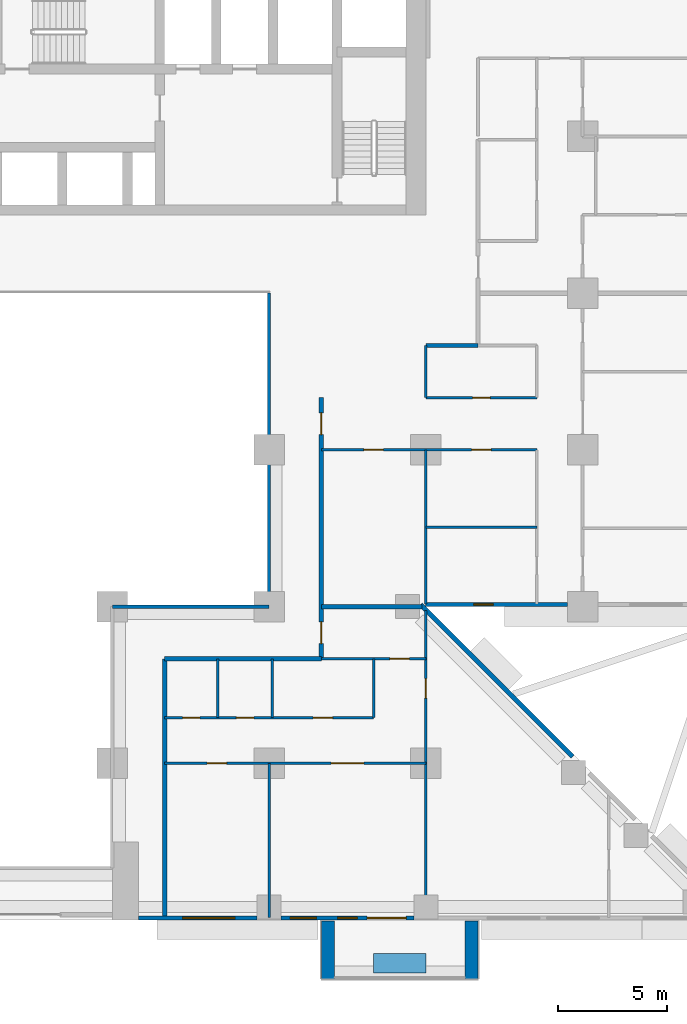
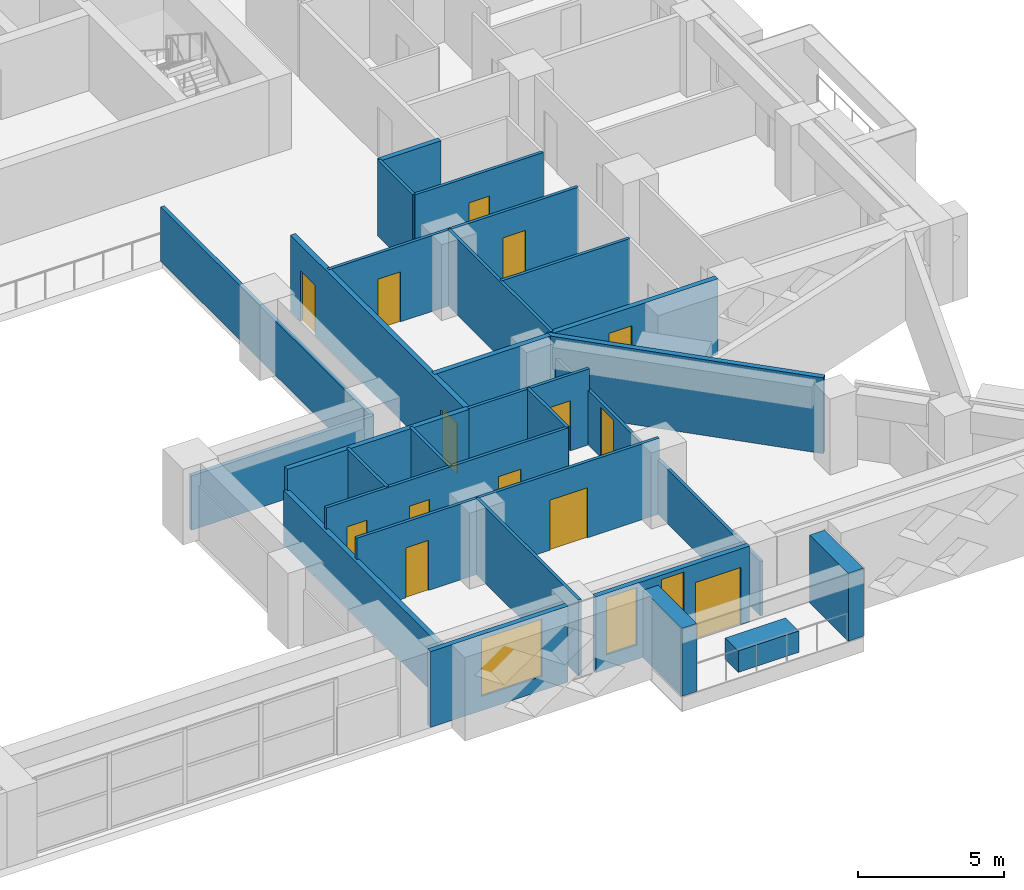
# One storey, part 8 of 16: 27 walls, 13 doors, 4 windows, 17 openings.
"""IFC4 building model written with IfcOpenShell, lengths in metres."""

import ifcopenshell
import ifcopenshell.guid

model = None  # the IFC model being written
_history = None  # IfcOwnerHistory: only IFC2X3 demands one
_inside = {}  # id of a spatial element -> (the spatial element, [elements in it])
_under = {}  # id of a project, library or spatial element -> (it, [spatial elements below it])
_declared = {}  # id of a project -> (the project, [libraries it declares])
_typed = {}  # id of a type object -> (the type object, [elements of that type])
_made_of = {}  # id of a material, layer set ... -> (it, [elements and type objects made of it])


def new_model(schema):
    """Start an empty IFC model of exactly this schema.

    Asked for "IFC4X3", IfcOpenShell would pick the latest addendum, in which some entities
    have other attributes; the version numbers below select the first issue.
    IFC2X3 requires an IfcOwnerHistory on every rooted entity: one is made here for all.
    """
    global model, _history
    if schema == "IFC4X3":
        model = ifcopenshell.file(schema_version=(4, 3, 0, 0))
    else:
        model = ifcopenshell.file(schema=schema)
    _inside.clear()
    _under.clear()
    _declared.clear()
    _typed.clear()
    _made_of.clear()
    _history = None
    if model.schema == "IFC2X3":
        org = make("IfcOrganization", Name="unknown")
        user = make(
            "IfcPersonAndOrganization",
            ThePerson=make("IfcPerson", FamilyName="unknown"),
            TheOrganization=org,
        )
        app = make(
            "IfcApplication",
            ApplicationDeveloper=org,
            Version="unknown",
            ApplicationFullName="unknown",
            ApplicationIdentifier="unknown",
        )
        _history = make(
            "IfcOwnerHistory",
            OwningUser=user,
            OwningApplication=app,
            ChangeAction="ADDED",
            CreationDate=0,
        )
    return model


def make(cls, **values):
    """One entity of the class cls with the attributes given. An attribute that is None is left unset."""
    return model.create_entity(
        cls, **{name: value for name, value in values.items() if value is not None}
    )


def rooted(cls, **values):
    """An entity with a GlobalId (a new one), such as an element, a storey or a relation."""
    return make(cls, GlobalId=ifcopenshell.guid.new(), OwnerHistory=_history, **values)


def si_unit(unit_type, name, prefix=None):
    """IfcSIUnit, for example si_unit("LENGTHUNIT", "METRE", prefix="MILLI")."""
    return make("IfcSIUnit", UnitType=unit_type, Prefix=prefix, Name=name)


def assignment(units):
    """IfcUnitAssignment: the units of a project."""
    return None if units is None else make("IfcUnitAssignment", Units=units)


def point(xyz):
    """IfcCartesianPoint."""
    return None if xyz is None else make("IfcCartesianPoint", Coordinates=xyz)


def direction(xyz):
    """IfcDirection."""
    return None if xyz is None else make("IfcDirection", DirectionRatios=xyz)


def frame(location, z_axis=None, x_axis=None):
    """IfcAxis2Placement3D, a coordinate frame: its origin and axes. An axis left out is left unset."""
    return make(
        "IfcAxis2Placement3D",
        Location=point(location),
        Axis=direction(z_axis),
        RefDirection=direction(x_axis),
    )


def frame_2d(location, x_axis=None):
    """IfcAxis2Placement2D, a coordinate frame in the plane: its origin and x axis."""
    return make(
        "IfcAxis2Placement2D", Location=point(location), RefDirection=direction(x_axis)
    )


def origin():
    """The frame at (0, 0, 0) with its axes left unset."""
    return frame((0.0, 0.0, 0.0))


def place(relative_to, where):
    """IfcLocalPlacement: puts the frame where relative to a parent placement (None: the world)."""
    return make(
        "IfcLocalPlacement", PlacementRelTo=relative_to, RelativePlacement=where
    )


def context(
    kind, dimensions, precision=None, world=None, true_north=None, identifier=None
):
    """IfcGeometricRepresentationContext, for example the 3D "Model" context."""
    return make(
        "IfcGeometricRepresentationContext",
        ContextIdentifier=identifier,
        ContextType=kind,
        CoordinateSpaceDimension=dimensions,
        Precision=precision,
        WorldCoordinateSystem=world,
        TrueNorth=true_north,
    )


def subcontext(parent, identifier, kind, view, scale=None):
    """IfcGeometricRepresentationSubContext, for example "Body" below "Model"."""
    return make(
        "IfcGeometricRepresentationSubContext",
        ContextIdentifier=identifier,
        ContextType=kind,
        ParentContext=parent,
        TargetScale=scale,
        TargetView=view,
    )


def project(units=None, contexts=None):
    """IfcProject with its units and contexts."""
    return rooted(
        "IfcProject",
        Name="project",
        RepresentationContexts=contexts,
        UnitsInContext=assignment(units),
    )


def spatial(cls, under=None, at=None, **own):
    """A site, building, storey or space (cls), placed at a placement, below another one or the project."""
    s = rooted(cls, ObjectPlacement=at, **own)
    if under is not None:
        _under.setdefault(under.id(), (under, []))[1].append(s)
    return s


def profile(cls, at=None, kind="AREA", **sizes):
    """A parametric profile (cls). Its sizes go by their IFC names, for example OverallWidth=200.0."""
    return make(cls, ProfileType=kind, Position=at, **sizes)


def rectangle(**sizes):
    """IfcRectangleProfileDef."""
    return profile("IfcRectangleProfileDef", **sizes)


def extrude(swept, where, along, depth):
    """IfcExtrudedAreaSolid: the profile swept, set in the frame where, extruded along a direction by depth."""
    return make(
        "IfcExtrudedAreaSolid",
        SweptArea=swept,
        Position=where,
        ExtrudedDirection=direction(along),
        Depth=depth,
    )


def shape(context_of_items, identifier, shape_type, items):
    """IfcShapeRepresentation: the items that make up one representation, for example the "Body"."""
    return make(
        "IfcShapeRepresentation",
        ContextOfItems=context_of_items,
        RepresentationIdentifier=identifier,
        RepresentationType=shape_type,
        Items=items,
    )


def material(Name=None, Category=None):
    """IfcMaterial."""
    return make("IfcMaterial", Name=Name, Category=Category)


def layer(
    of_material, thickness, ventilated=None, Name=None, Category=None, Priority=None
):
    """IfcMaterialLayer: one layer of a wall or slab, of a material (None: an air gap)."""
    return make(
        "IfcMaterialLayer",
        Material=of_material,
        LayerThickness=thickness,
        IsVentilated=ventilated,
        Name=Name,
        Category=Category,
        Priority=Priority,
    )


def layer_set(layers, Name=None):
    """IfcMaterialLayerSet."""
    return make("IfcMaterialLayerSet", MaterialLayers=layers, LayerSetName=Name)


def made_of(thing, what):
    """Note that an element or type object is made of a material, layer set ...; save() writes the relation."""
    if what is not None:
        _made_of.setdefault(what.id(), (what, []))[1].append(thing)
    return thing


def type_object(cls, material=None, **own):
    """A type object (cls), such as IfcWallType, which elements share."""
    return made_of(rooted(cls, **own), material)


def element(
    cls,
    number,
    at=None,
    inside=None,
    cuts=None,
    type_object=None,
    material=None,
    context=None,
    identifier="Body",
    shape_type=None,
    held_by="IfcProductDefinitionShape",
    body=None,
    shapes=None,
    **own,
):
    """One element of the class cls, such as IfcWall. Its Tag is "e" and its number.

    at: its placement. inside: the storey or other place that contains it. cuts: it is an
    opening in that element (IfcRelVoidsElement). A single representation is given by context,
    identifier, shape_type and body (its items); several are given by shapes. held_by: the class
    of the entity that holds the representations. save() writes the other relations.
    """
    e = rooted(cls, Tag="e%d" % number, ObjectPlacement=at, **own)
    if body is not None:
        shapes = [shape(context, identifier, shape_type, body)]
    if shapes is not None:
        e.Representation = make(held_by, Representations=shapes)
    if inside is not None:
        _inside.setdefault(inside.id(), (inside, []))[1].append(e)
    if cuts is not None:
        rooted(
            "IfcRelVoidsElement", RelatingBuildingElement=cuts, RelatedOpeningElement=e
        )
    if type_object is not None:
        _typed.setdefault(type_object.id(), (type_object, []))[1].append(e)
    return made_of(e, material)


def fill(opening, filler):
    """IfcRelFillsElement: the door or window that sits in an opening."""
    return rooted(
        "IfcRelFillsElement",
        RelatingOpeningElement=opening,
        RelatedBuildingElement=filler,
    )


def aggregate(whole, parts):
    """IfcRelAggregates: a whole, such as a stair, and the parts it consists of."""
    return rooted("IfcRelAggregates", RelatingObject=whole, RelatedObjects=parts)


def save(model, path):
    """Write the relations noted so far, then the file.

    IfcRelAggregates (storeys below a building ...), IfcRelContainedInSpatialStructure (elements
    in a storey), IfcRelDefinesByType, IfcRelAssociatesMaterial and IfcRelDeclares: one each for
    every whole, place, type object, material and project.
    """
    for whole, parts in _under.values():
        aggregate(whole, parts)
    for where, things in _inside.values():
        rooted(
            "IfcRelContainedInSpatialStructure",
            RelatedElements=things,
            RelatingStructure=where,
        )
    for kind, things in _typed.values():
        rooted("IfcRelDefinesByType", RelatedObjects=things, RelatingType=kind)
    for what, things in _made_of.values():
        rooted("IfcRelAssociatesMaterial", RelatedObjects=things, RelatingMaterial=what)
    for by, libraries in _declared.values():
        rooted("IfcRelDeclares", RelatingContext=by, RelatedDefinitions=libraries)
    model.write(path)


model = new_model("IFC4")

# Units and contexts
model_context = context("Model", 3, precision=1e-05, world=origin(), true_north=direction((0.0, 1.0)))
body_context = subcontext(model_context, "Body", "Model", "MODEL_VIEW")
ifc_project = project(units=[si_unit("LENGTHUNIT", "METRE"), si_unit("AREAUNIT", "SQUARE_METRE"), si_unit("VOLUMEUNIT", "CUBIC_METRE"), si_unit("PLANEANGLEUNIT", "RADIAN"), si_unit("MASSUNIT", "GRAM", prefix="KILO")], contexts=[model_context])

# Site, building, storey
site_placement = place(None, origin())
site = spatial("IfcSite", under=ifc_project, at=site_placement, CompositionType="ELEMENT")
building_placement = place(site_placement, origin())
building = spatial("IfcBuilding", under=site, at=building_placement, Name="Saffron Iwan Residences", CompositionType="ELEMENT")
storey_placement = place(building_placement, frame((0.0, 0.0, 48.0)))
storey = spatial("IfcBuildingStorey", under=building, at=storey_placement, Name="L11", CompositionType="ELEMENT", Elevation=48.0)

# Walls
ifc_material_1 = material(Name="Fire-rated glazing", Category="glass")
ifc_layer_1 = layer(ifc_material_1, 0.14990234375)
ifc_layer_set_1 = layer_set([ifc_layer_1], Name="Fire-rated glazing")
wall_type_1 = type_object("IfcWallType", Name="Atrium glazed screen 150", PredefinedType="SOLIDWALL", material=ifc_layer_set_1)
wall_1_placement = place(storey_placement, frame((57.60009765625, 48.0, 0.0), z_axis=(0.0, 0.0, 1.0), x_axis=(1.0, 0.0, 0.0)))
element("IfcWall", 1, at=wall_1_placement, inside=storey, type_object=wall_type_1, Name="W-L11-SCREEN-h48-57.6", PredefinedType="SOLIDWALL", context=body_context, shape_type="SweptSolid", body=[
    extrude(rectangle(XDim=7.199951171875, YDim=0.14990234375, at=frame_2d((3.60009765625, 0.0))), origin(), (0.0, 0.0, 1.0), 2.280029296875),
])
wall_2_placement = place(storey_placement, frame((64.800048828125, 48.0, 0.0), z_axis=(0.0, 0.0, 1.0), x_axis=(0.0, 1.0, 0.0)))
element("IfcWall", 2, at=wall_2_placement, inside=storey, type_object=wall_type_1, Name="W-L11-SCREEN-v64.8-48", PredefinedType="SOLIDWALL", context=body_context, shape_type="SweptSolid", body=[
    extrude(rectangle(XDim=14.39990234375, YDim=0.14990234375, at=frame_2d((7.199951171875, 0.0))), origin(), (0.0, 0.0, 1.0), 2.280029296875),
])
ifc_material_2 = material(Name="Concrete C50/60 white painted", Category="concrete")
ifc_layer_2 = layer(ifc_material_2, 0.60009765625)
ifc_layer_set_2 = layer_set([ifc_layer_2], Name="Concrete C50/60 white painted")
wall_type_2 = type_object("IfcWallType", Name="BALCONY FIN 600", PredefinedType="SOLIDWALL", material=ifc_layer_set_2)
for number, where, z_axis, x_axis, name in (
    (3, (67.5, 33.550048828125, 0.0), (0.0, 0.0, 1.0), (0.0, -1.0, 0.0), "Balcony fin L11 11-1a"),
    (4, (74.10009765625, 33.550048828125, 0.0), (0.0, 0.0, 1.0), (0.0, -1.0, 0.0), "Balcony fin L11 11-1b"),
):
    element("IfcWall", number, at=place(storey_placement, frame(where, z_axis=z_axis, x_axis=x_axis)), inside=storey, type_object=wall_type_2, Name=name, PredefinedType="SOLIDWALL", context=body_context, shape_type="SweptSolid", body=[
        extrude(rectangle(XDim=2.650146484375, YDim=0.60009765625, at=frame_2d((1.3251953125, 0.0))), origin(), (0.0, 0.0, 1.0), 2.85009765625),
    ])
ifc_material_3 = material(Name="Concrete C35/45 white painted", Category="concrete")
ifc_layer_3 = layer(ifc_material_3, 0.14990234375)
ifc_layer_set_3 = layer_set([ifc_layer_3], Name="Concrete C35/45 white painted")
wall_type_3 = type_object("IfcWallType", Name="BALCONY PLANTER", PredefinedType="SOLIDWALL", material=ifc_layer_set_3)
wall_3_placement = place(storey_placement, frame((69.60009765625, 31.625, 0.0), z_axis=(0.0, 0.0, 1.0), x_axis=(1.0, 0.0, 0.0)))
element("IfcWall", 5, at=wall_3_placement, inside=storey, type_object=wall_type_3, Name="PLANTER L11 11-1", PredefinedType="SOLIDWALL", context=body_context, shape_type="SweptSolid", body=[
    extrude(rectangle(XDim=2.39990234375, YDim=0.89990234375, at=frame_2d((1.199951171875, 0.0))), origin(), (0.0, 0.0, 1.0), 0.89990234375),
])
ifc_material_4 = material(Name="Concrete C40/50", Category="concrete")
ifc_layer_4 = layer(ifc_material_4, 0.199951171875)
ifc_layer_set_4 = layer_set([ifc_layer_4], Name="Concrete C40/50")
wall_type_4 = type_object("IfcWallType", Name="EXTERNAL WALL 200", PredefinedType="SOLIDWALL", material=ifc_layer_set_4)
wall_4_placement = place(storey_placement, frame((78.740478515625, 41.1181640625, 0.0), z_axis=(0.0, 0.0, 1.0), x_axis=(-0.707106781187, 0.707106781187, 0.0)))
element("IfcWall", 6, at=wall_4_placement, inside=storey, type_object=wall_type_4, Name="External wall L11 F0.2", PredefinedType="SOLIDWALL", context=body_context, shape_type="SweptSolid", body=[
    extrude(rectangle(XDim=9.8740234375, YDim=0.199951171875, at=frame_2d((4.93701171875, 0.0))), origin(), (0.0, 0.0, 1.0), 3.179931640625),
])

# Wall, opening, window
wall_5_placement = place(storey_placement, frame((71.988525390625, 48.10009765625, 0.0), z_axis=(0.0, 0.0, 1.0), x_axis=(1.0, 0.0, 0.0)))
wall_5 = element("IfcWall", 7, at=wall_5_placement, inside=storey, type_object=wall_type_4, Name="External wall L11 F1.0", PredefinedType="SOLIDWALL", context=body_context, shape_type="SweptSolid", body=[
    extrude(rectangle(XDim=6.511474609375, YDim=0.199951171875, at=frame_2d((3.255859375, 0.0))), origin(), (0.0, 0.0, 1.0), 3.179931640625),
])
opening_1_placement = place(wall_5_placement, frame((2.205810546875, 0.0, 1.5)))
opening_1 = element("IfcOpeningElement", 8, at=opening_1_placement, cuts=wall_5, Name="Opening W6", PredefinedType="OPENING", context=body_context, shape_type="SweptSolid", body=[
    extrude(rectangle(XDim=0.89990234375, YDim=0.89990234375, at=frame_2d((0.449951171875, 0.449951171875))), frame((0.0, 0.10986328125, 0.0), z_axis=(0.0, -1.0, 0.0), x_axis=(1.0, 0.0, 0.0)), (0.0, 0.0, 1.0), 0.219970703125),
])
ifc_material_5 = material(Name="Clear glass, laminated double glazed", Category="glass")
window_type_1 = type_object("IfcWindowType", Name="WINDOW 900 x 900 BATH", PartitioningType="SINGLE_PANEL", PredefinedType="WINDOW", material=ifc_material_5)
window_1_placement = place(opening_1_placement, origin())
window_1 = element("IfcWindow", 9, at=window_1_placement, inside=storey, type_object=window_type_1, Name="Window L11 F1.0", OverallHeight=0.89990234375, OverallWidth=0.89990234375, PartitioningType="SINGLE_PANEL", PredefinedType="WINDOW", context=body_context, shape_type="SweptSolid", body=[
    extrude(rectangle(XDim=0.89990234375, YDim=0.89990234375, at=frame_2d((0.449951171875, 0.449951171875))), frame((0.0, 0.030029296875, 0.0), z_axis=(0.0, -1.0, 0.0), x_axis=(1.0, 0.0, 0.0)), (0.0, 0.0, 1.0), 0.06005859375),
])
fill(opening_1, window_1)

wall_6_placement = place(storey_placement, frame((58.800048828125, 33.699951171875, 0.0), z_axis=(0.0, 0.0, 1.0), x_axis=(1.0, 0.0, 0.0)))
wall_6 = element("IfcWall", 10, at=wall_6_placement, inside=storey, type_object=wall_type_4, Name="External wall L11 F11.4", PredefinedType="SOLIDWALL", context=body_context, shape_type="SweptSolid", body=[
    extrude(rectangle(XDim=5.449951171875, YDim=0.199951171875, at=frame_2d((2.72509765625, 0.0))), origin(), (0.0, 0.0, 1.0), 3.179931640625),
])
opening_2_placement = place(wall_6_placement, frame((2.02490234375, 0.0, 0.60009765625)))
opening_2 = element("IfcOpeningElement", 11, at=opening_2_placement, cuts=wall_6, Name="Opening W1", PredefinedType="OPENING", context=body_context, shape_type="SweptSolid", body=[
    extrude(rectangle(XDim=2.39990234375, YDim=2.39990234375, at=frame_2d((1.199951171875, 1.199951171875))), frame((0.0, 0.10986328125, 0.0), z_axis=(0.0, -1.0, 0.0), x_axis=(1.0, 0.0, 0.0)), (0.0, 0.0, 1.0), 0.219970703125),
])
window_type_2 = type_object("IfcWindowType", Name="WINDOW 2400 x 2400", PartitioningType="DOUBLE_PANEL_VERTICAL", PredefinedType="WINDOW", material=ifc_material_5)
window_2_placement = place(opening_2_placement, origin())
window_2 = element("IfcWindow", 12, at=window_2_placement, inside=storey, type_object=window_type_2, Name="Window L11 F11.0", OverallHeight=2.39990234375, OverallWidth=2.39990234375, PartitioningType="DOUBLE_PANEL_VERTICAL", PredefinedType="WINDOW", context=body_context, shape_type="SweptSolid", body=[
    extrude(rectangle(XDim=2.39990234375, YDim=2.39990234375, at=frame_2d((1.199951171875, 1.199951171875))), frame((0.0, 0.030029296875, 0.0), z_axis=(0.0, -1.0, 0.0), x_axis=(1.0, 0.0, 0.0)), (0.0, 0.0, 1.0), 0.06005859375),
])
fill(opening_2, window_2)

# Wall, openings, door, windows
wall_7_placement = place(storey_placement, frame((65.35009765625, 33.699951171875, 0.0), z_axis=(0.0, 0.0, 1.0), x_axis=(1.0, 0.0, 0.0)))
wall_7 = element("IfcWall", 13, at=wall_7_placement, inside=storey, type_object=wall_type_4, Name="External wall L11 F11.5", PredefinedType="SOLIDWALL", context=body_context, shape_type="SweptSolid", body=[
    extrude(rectangle(XDim=6.099853515625, YDim=0.199951171875, at=frame_2d((3.0498046875, 0.0))), origin(), (0.0, 0.0, 1.0), 3.179931640625),
])
opening_3_placement = place(wall_7_placement, frame((3.949951171875, 0.0, 0.0)))
opening_3 = element("IfcOpeningElement", 14, at=opening_3_placement, cuts=wall_7, Name="Opening BD1", PredefinedType="OPENING", context=body_context, shape_type="SweptSolid", body=[
    extrude(rectangle(XDim=1.800048828125, YDim=2.39990234375, at=frame_2d((0.89990234375, 1.199951171875))), frame((0.0, 0.10986328125, 0.0), z_axis=(0.0, -1.0, 0.0), x_axis=(1.0, 0.0, 0.0)), (0.0, 0.0, 1.0), 0.219970703125),
])
opening_4_placement = place(wall_7_placement, frame((0.425048828125, 0.0, 0.60009765625)))
opening_4 = element("IfcOpeningElement", 15, at=opening_4_placement, cuts=wall_7, Name="Opening W3", PredefinedType="OPENING", context=body_context, shape_type="SweptSolid", body=[
    extrude(rectangle(XDim=1.199951171875, YDim=2.39990234375, at=frame_2d((0.60009765625, 1.199951171875))), frame((0.0, 0.10986328125, 0.0), z_axis=(0.0, -1.0, 0.0), x_axis=(1.0, 0.0, 0.0)), (0.0, 0.0, 1.0), 0.219970703125),
])
opening_5_placement = place(wall_7_placement, frame((2.60009765625, 0.0, 0.60009765625)))
opening_5 = element("IfcOpeningElement", 16, at=opening_5_placement, cuts=wall_7, Name="Opening W10", PredefinedType="OPENING", context=body_context, shape_type="SweptSolid", body=[
    extrude(rectangle(XDim=0.89990234375, YDim=2.39990234375, at=frame_2d((0.449951171875, 1.199951171875))), frame((0.0, 0.10986328125, 0.0), z_axis=(0.0, -1.0, 0.0), x_axis=(1.0, 0.0, 0.0)), (0.0, 0.0, 1.0), 0.219970703125),
])
door_type_1 = type_object("IfcDoorType", Name="BALCONY DOOR 1800 x 2400", OperationType="DOUBLE_DOOR_SLIDING", PredefinedType="DOOR", material=ifc_material_5)
door_1_placement = place(opening_3_placement, origin())
door_1 = element("IfcDoor", 17, at=door_1_placement, inside=storey, type_object=door_type_1, Name="Balcony door L11 F11.0", OperationType="DOUBLE_DOOR_SLIDING", OverallHeight=2.39990234375, OverallWidth=1.800048828125, PredefinedType="DOOR", context=body_context, shape_type="SweptSolid", body=[
    extrude(rectangle(XDim=1.800048828125, YDim=2.39990234375, at=frame_2d((0.89990234375, 1.199951171875))), frame((0.0, 0.02490234375, 0.0), z_axis=(0.0, -1.0, 0.0), x_axis=(1.0, 0.0, 0.0)), (0.0, 0.0, 1.0), 0.050048828125),
])
fill(opening_3, door_1)
window_type_3 = type_object("IfcWindowType", Name="WINDOW 1200 x 2400", PartitioningType="SINGLE_PANEL", PredefinedType="WINDOW", material=ifc_material_5)
window_3_placement = place(opening_4_placement, origin())
window_3 = element("IfcWindow", 18, at=window_3_placement, inside=storey, type_object=window_type_3, Name="Window L11 F11.1", OverallHeight=2.39990234375, OverallWidth=1.199951171875, PartitioningType="SINGLE_PANEL", PredefinedType="WINDOW", context=body_context, shape_type="SweptSolid", body=[
    extrude(rectangle(XDim=1.199951171875, YDim=2.39990234375, at=frame_2d((0.60009765625, 1.199951171875))), frame((0.0, 0.030029296875, 0.0), z_axis=(0.0, -1.0, 0.0), x_axis=(1.0, 0.0, 0.0)), (0.0, 0.0, 1.0), 0.06005859375),
])
fill(opening_4, window_3)
window_type_4 = type_object("IfcWindowType", Name="WINDOW 900 x 2400", PartitioningType="SINGLE_PANEL", PredefinedType="WINDOW", material=ifc_material_5)
window_4_placement = place(opening_5_placement, origin())
window_4 = element("IfcWindow", 19, at=window_4_placement, inside=storey, type_object=window_type_4, Name="Window L11 F11.2", OverallHeight=2.39990234375, OverallWidth=0.89990234375, PartitioningType="SINGLE_PANEL", PredefinedType="WINDOW", context=body_context, shape_type="SweptSolid", body=[
    extrude(rectangle(XDim=0.89990234375, YDim=2.39990234375, at=frame_2d((0.449951171875, 1.199951171875))), frame((0.0, 0.030029296875, 0.0), z_axis=(0.0, -1.0, 0.0), x_axis=(1.0, 0.0, 0.0)), (0.0, 0.0, 1.0), 0.06005859375),
])
fill(opening_5, window_4)

# Wall
ifc_material_6 = material(Name="Fire-rated gypsum board wall")
ifc_layer_5 = layer(ifc_material_6, 0.199951171875)
ifc_layer_set_5 = layer_set([ifc_layer_5], Name="Fire-rated gypsum board wall")
wall_type_5 = type_object("IfcWallType", Name="Flat demising wall 200", PredefinedType="SOLIDWALL", material=ifc_layer_set_5)
wall_8_placement = place(storey_placement, frame((67.199951171875, 48.0, 0.0), z_axis=(0.0, 0.0, 1.0), x_axis=(1.0, 0.0, 0.0)))
element("IfcWall", 20, at=wall_8_placement, inside=storey, type_object=wall_type_5, Name="W-L11-DEMISE-h48-67.2", PredefinedType="SOLIDWALL", context=body_context, shape_type="SweptSolid", body=[
    extrude(rectangle(XDim=4.623046875, YDim=0.199951171875, at=frame_2d((2.3115234375, 0.0))), origin(), (0.0, 0.0, 1.0), 3.179931640625),
])

# Wall, openings, doors
ifc_material_7 = material(Name="Gypsum board partition")
ifc_layer_6 = layer(ifc_material_7, 0.1201171875)
ifc_layer_set_6 = layer_set([ifc_layer_6], Name="Gypsum board partition")
wall_type_6 = type_object("IfcWallType", Name="Flat partition 120", PredefinedType="PARTITIONING", material=ifc_layer_set_6)
wall_9_placement = place(storey_placement, frame((60.0, 40.800048828125, 0.0), z_axis=(0.0, 0.0, 1.0), x_axis=(1.0, 0.0, 0.0)))
wall_9 = element("IfcWall", 21, at=wall_9_placement, inside=storey, type_object=wall_type_6, Name="W-L11-PART-h40.8-60", PredefinedType="PARTITIONING", context=body_context, shape_type="SweptSolid", body=[
    extrude(rectangle(XDim=12.0, YDim=0.1201171875, at=frame_2d((6.0, 0.0))), origin(), (0.0, 0.0, 1.0), 3.179931640625),
])
opening_6_placement = place(wall_9_placement, frame((7.64990234375, 0.0, 0.0)))
opening_6 = element("IfcOpeningElement", 22, at=opening_6_placement, cuts=wall_9, Name="Opening FD4", PredefinedType="OPENING", context=body_context, shape_type="SweptSolid", body=[
    extrude(rectangle(XDim=1.5, YDim=2.10009765625, at=frame_2d((0.75, 1.050048828125))), frame((0.0, 0.070068359375, 0.0), z_axis=(0.0, -1.0, 0.0), x_axis=(1.0, 0.0, 0.0)), (0.0, 0.0, 1.0), 0.14013671875),
])
opening_7_placement = place(wall_9_placement, frame((1.949951171875, 0.0, 0.0)))
opening_7 = element("IfcOpeningElement", 23, at=opening_7_placement, cuts=wall_9, Name="Opening FD2", PredefinedType="OPENING", context=body_context, shape_type="SweptSolid", body=[
    extrude(rectangle(XDim=0.89990234375, YDim=2.10009765625, at=frame_2d((0.449951171875, 1.050048828125))), frame((0.0, 0.070068359375, 0.0), z_axis=(0.0, -1.0, 0.0), x_axis=(1.0, 0.0, 0.0)), (0.0, 0.0, 1.0), 0.14013671875),
])
ifc_material_8 = material(Name="Timber door", Category="wood")
door_type_2 = type_object("IfcDoorType", Name="Double door 1500", OperationType="NOTDEFINED", PredefinedType="DOOR", material=ifc_material_8)
door_2_placement = place(opening_6_placement, origin())
door_2 = element("IfcDoor", 24, at=door_2_placement, inside=storey, type_object=door_type_2, Name="Door L11-044", OperationType="SINGLE_SWING_RIGHT", OverallHeight=2.10009765625, OverallWidth=1.5, PredefinedType="DOOR", context=body_context, shape_type="SweptSolid", body=[
    extrude(rectangle(XDim=1.5, YDim=2.10009765625, at=frame_2d((0.75, 1.050048828125))), frame((0.0, 0.02490234375, 0.0), z_axis=(0.0, -1.0, 0.0), x_axis=(1.0, 0.0, 0.0)), (0.0, 0.0, 1.0), 0.050048828125),
])
fill(opening_6, door_2)
door_type_3 = type_object("IfcDoorType", Name="Flat door 900", OperationType="NOTDEFINED", PredefinedType="DOOR", material=ifc_material_8)
door_3_placement = place(opening_7_placement, origin())
door_3 = element("IfcDoor", 25, at=door_3_placement, inside=storey, type_object=door_type_3, Name="Door L11-045", OperationType="SINGLE_SWING_LEFT", OverallHeight=2.10009765625, OverallWidth=0.89990234375, PredefinedType="DOOR", context=body_context, shape_type="SweptSolid", body=[
    extrude(rectangle(XDim=0.89990234375, YDim=2.10009765625, at=frame_2d((0.449951171875, 1.050048828125))), frame((0.0, 0.02490234375, 0.0), z_axis=(0.0, -1.0, 0.0), x_axis=(1.0, 0.0, 0.0)), (0.0, 0.0, 1.0), 0.050048828125),
])
fill(opening_7, door_3)

wall_10_placement = place(storey_placement, frame((60.0, 42.89990234375, 0.0), z_axis=(0.0, 0.0, 1.0), x_axis=(1.0, 0.0, 0.0)))
wall_10 = element("IfcWall", 26, at=wall_10_placement, inside=storey, type_object=wall_type_6, Name="W-L11-PART-h42.9-60", PredefinedType="PARTITIONING", context=body_context, shape_type="SweptSolid", body=[
    extrude(rectangle(XDim=9.60009765625, YDim=0.1201171875, at=frame_2d((4.800048828125, 0.0))), origin(), (0.0, 0.0, 1.0), 3.179931640625),
])
opening_8_placement = place(wall_10_placement, frame((6.824951171875, 0.0, 0.0)))
opening_8 = element("IfcOpeningElement", 27, at=opening_8_placement, cuts=wall_10, Name="Opening FD2", PredefinedType="OPENING", context=body_context, shape_type="SweptSolid", body=[
    extrude(rectangle(XDim=0.89990234375, YDim=2.10009765625, at=frame_2d((0.449951171875, 1.050048828125))), frame((0.0, 0.070068359375, 0.0), z_axis=(0.0, -1.0, 0.0), x_axis=(1.0, 0.0, 0.0)), (0.0, 0.0, 1.0), 0.14013671875),
])
opening_9_placement = place(wall_10_placement, frame((3.300048828125, 0.0, 0.0)))
opening_9 = element("IfcOpeningElement", 28, at=opening_9_placement, cuts=wall_10, Name="Opening FD3", PredefinedType="OPENING", context=body_context, shape_type="SweptSolid", body=[
    extrude(rectangle(XDim=0.800048828125, YDim=2.10009765625, at=frame_2d((0.39990234375, 1.050048828125))), frame((0.0, 0.070068359375, 0.0), z_axis=(0.0, -1.0, 0.0), x_axis=(1.0, 0.0, 0.0)), (0.0, 0.0, 1.0), 0.14013671875),
])
opening_10_placement = place(wall_10_placement, frame((0.824951171875, 0.0, 0.0)))
opening_10 = element("IfcOpeningElement", 29, at=opening_10_placement, cuts=wall_10, Name="Opening FD3", PredefinedType="OPENING", context=body_context, shape_type="SweptSolid", body=[
    extrude(rectangle(XDim=0.800048828125, YDim=2.10009765625, at=frame_2d((0.39990234375, 1.050048828125))), frame((0.0, 0.070068359375, 0.0), z_axis=(0.0, -1.0, 0.0), x_axis=(1.0, 0.0, 0.0)), (0.0, 0.0, 1.0), 0.14013671875),
])
door_type_4 = type_object("IfcDoorType", Name="Bathroom door 800", OperationType="NOTDEFINED", PredefinedType="DOOR", material=ifc_material_8)
door_4_placement = place(opening_9_placement, origin())
door_4 = element("IfcDoor", 30, at=door_4_placement, inside=storey, type_object=door_type_4, Name="Door L11-047", OperationType="SINGLE_SWING_RIGHT", OverallHeight=2.10009765625, OverallWidth=0.800048828125, PredefinedType="DOOR", context=body_context, shape_type="SweptSolid", body=[
    extrude(rectangle(XDim=0.800048828125, YDim=2.10009765625, at=frame_2d((0.39990234375, 1.050048828125))), frame((0.0, 0.02490234375, 0.0), z_axis=(0.0, -1.0, 0.0), x_axis=(1.0, 0.0, 0.0)), (0.0, 0.0, 1.0), 0.050048828125),
])
fill(opening_9, door_4)
door_5_placement = place(opening_10_placement, origin())
door_5 = element("IfcDoor", 31, at=door_5_placement, inside=storey, type_object=door_type_4, Name="Door L11-048", OperationType="SINGLE_SWING_LEFT", OverallHeight=2.10009765625, OverallWidth=0.800048828125, PredefinedType="DOOR", context=body_context, shape_type="SweptSolid", body=[
    extrude(rectangle(XDim=0.800048828125, YDim=2.10009765625, at=frame_2d((0.39990234375, 1.050048828125))), frame((0.0, 0.02490234375, 0.0), z_axis=(0.0, -1.0, 0.0), x_axis=(1.0, 0.0, 0.0)), (0.0, 0.0, 1.0), 0.050048828125),
])
fill(opening_10, door_5)
door_6_placement = place(opening_8_placement, origin())
door_6 = element("IfcDoor", 32, at=door_6_placement, inside=storey, type_object=door_type_3, Name="Door L11-046", OperationType="SINGLE_SWING_LEFT", OverallHeight=2.10009765625, OverallWidth=0.89990234375, PredefinedType="DOOR", context=body_context, shape_type="SweptSolid", body=[
    extrude(rectangle(XDim=0.89990234375, YDim=2.10009765625, at=frame_2d((0.449951171875, 1.050048828125))), frame((0.0, 0.02490234375, 0.0), z_axis=(0.0, -1.0, 0.0), x_axis=(1.0, 0.0, 0.0)), (0.0, 0.0, 1.0), 0.050048828125),
])
fill(opening_8, door_6)

# Wall, opening, door
wall_11_placement = place(storey_placement, frame((67.199951171875, 45.60009765625, 0.0), z_axis=(0.0, 0.0, 1.0), x_axis=(1.0, 0.0, 0.0)))
wall_11 = element("IfcWall", 33, at=wall_11_placement, inside=storey, type_object=wall_type_6, Name="W-L11-PART-h45.6-67.2", PredefinedType="PARTITIONING", context=body_context, shape_type="SweptSolid", body=[
    extrude(rectangle(XDim=4.800048828125, YDim=0.1201171875, at=frame_2d((2.39990234375, 0.0))), origin(), (0.0, 0.0, 1.0), 3.179931640625),
])
opening_11_placement = place(wall_11_placement, frame((3.14990234375, 0.0, 0.0)))
opening_11 = element("IfcOpeningElement", 34, at=opening_11_placement, cuts=wall_11, Name="Opening FD2", PredefinedType="OPENING", context=body_context, shape_type="SweptSolid", body=[
    extrude(rectangle(XDim=0.89990234375, YDim=2.10009765625, at=frame_2d((0.449951171875, 1.050048828125))), frame((0.0, 0.070068359375, 0.0), z_axis=(0.0, -1.0, 0.0), x_axis=(1.0, 0.0, 0.0)), (0.0, 0.0, 1.0), 0.14013671875),
])
door_7_placement = place(opening_11_placement, origin())
door_7 = element("IfcDoor", 35, at=door_7_placement, inside=storey, type_object=door_type_3, Name="Door L11-042", OperationType="SINGLE_SWING_LEFT", OverallHeight=2.10009765625, OverallWidth=0.89990234375, PredefinedType="DOOR", context=body_context, shape_type="SweptSolid", body=[
    extrude(rectangle(XDim=0.89990234375, YDim=2.10009765625, at=frame_2d((0.449951171875, 1.050048828125))), frame((0.0, 0.02490234375, 0.0), z_axis=(0.0, -1.0, 0.0), x_axis=(1.0, 0.0, 0.0)), (0.0, 0.0, 1.0), 0.050048828125),
])
fill(opening_11, door_7)

# Wall
wall_12_placement = place(storey_placement, frame((72.0, 51.64990234375, 0.0), z_axis=(0.0, 0.0, 1.0), x_axis=(1.0, 0.0, 0.0)))
element("IfcWall", 36, at=wall_12_placement, inside=storey, type_object=wall_type_6, Name="W-L11-PART-h51.65-72", PredefinedType="PARTITIONING", context=body_context, shape_type="SweptSolid", body=[
    extrude(rectangle(XDim=5.10009765625, YDim=0.1201171875, at=frame_2d((2.550048828125, 0.0))), origin(), (0.0, 0.0, 1.0), 3.179931640625),
])

# Wall, openings, doors
wall_13_placement = place(storey_placement, frame((67.199951171875, 55.199951171875, 0.0), z_axis=(0.0, 0.0, 1.0), x_axis=(1.0, 0.0, 0.0)))
wall_13 = element("IfcWall", 37, at=wall_13_placement, inside=storey, type_object=wall_type_6, Name="W-L11-PART-h55.2-67.2", PredefinedType="PARTITIONING", context=body_context, shape_type="SweptSolid", body=[
    extrude(rectangle(XDim=9.900146484375, YDim=0.1201171875, at=frame_2d((4.9501953125, 0.0))), origin(), (0.0, 0.0, 1.0), 3.179931640625),
])
opening_12_placement = place(wall_13_placement, frame((6.89990234375, 0.0, 0.0)))
opening_12 = element("IfcOpeningElement", 38, at=opening_12_placement, cuts=wall_13, Name="Opening FD2", PredefinedType="OPENING", context=body_context, shape_type="SweptSolid", body=[
    extrude(rectangle(XDim=0.89990234375, YDim=2.10009765625, at=frame_2d((0.449951171875, 1.050048828125))), frame((0.0, 0.070068359375, 0.0), z_axis=(0.0, -1.0, 0.0), x_axis=(1.0, 0.0, 0.0)), (0.0, 0.0, 1.0), 0.14013671875),
])
opening_13_placement = place(wall_13_placement, frame((1.949951171875, 0.0, 0.0)))
opening_13 = element("IfcOpeningElement", 39, at=opening_13_placement, cuts=wall_13, Name="Opening FD2", PredefinedType="OPENING", context=body_context, shape_type="SweptSolid", body=[
    extrude(rectangle(XDim=0.89990234375, YDim=2.10009765625, at=frame_2d((0.449951171875, 1.050048828125))), frame((0.0, 0.070068359375, 0.0), z_axis=(0.0, -1.0, 0.0), x_axis=(1.0, 0.0, 0.0)), (0.0, 0.0, 1.0), 0.14013671875),
])
door_8_placement = place(opening_12_placement, origin())
door_8 = element("IfcDoor", 40, at=door_8_placement, inside=storey, type_object=door_type_3, Name="Door L11-024", OperationType="SINGLE_SWING_LEFT", OverallHeight=2.10009765625, OverallWidth=0.89990234375, PredefinedType="DOOR", context=body_context, shape_type="SweptSolid", body=[
    extrude(rectangle(XDim=0.89990234375, YDim=2.10009765625, at=frame_2d((0.449951171875, 1.050048828125))), frame((0.0, 0.02490234375, 0.0), z_axis=(0.0, -1.0, 0.0), x_axis=(1.0, 0.0, 0.0)), (0.0, 0.0, 1.0), 0.050048828125),
])
fill(opening_12, door_8)
door_9_placement = place(opening_13_placement, origin())
door_9 = element("IfcDoor", 41, at=door_9_placement, inside=storey, type_object=door_type_3, Name="Door L11-026", OperationType="SINGLE_SWING_RIGHT", OverallHeight=2.10009765625, OverallWidth=0.89990234375, PredefinedType="DOOR", context=body_context, shape_type="SweptSolid", body=[
    extrude(rectangle(XDim=0.89990234375, YDim=2.10009765625, at=frame_2d((0.449951171875, 1.050048828125))), frame((0.0, 0.02490234375, 0.0), z_axis=(0.0, -1.0, 0.0), x_axis=(1.0, 0.0, 0.0)), (0.0, 0.0, 1.0), 0.050048828125),
])
fill(opening_13, door_9)

# Wall, opening, door
wall_14_placement = place(storey_placement, frame((72.0, 57.60009765625, 0.0), z_axis=(0.0, 0.0, 1.0), x_axis=(1.0, 0.0, 0.0)))
wall_14 = element("IfcWall", 42, at=wall_14_placement, inside=storey, type_object=wall_type_6, Name="W-L11-PART-h57.6-72", PredefinedType="PARTITIONING", context=body_context, shape_type="SweptSolid", body=[
    extrude(rectangle(XDim=5.10009765625, YDim=0.1201171875, at=frame_2d((2.550048828125, 0.0))), origin(), (0.0, 0.0, 1.0), 3.179931640625),
])
opening_14_placement = place(wall_14_placement, frame((2.14990234375, 0.0, 0.0)))
opening_14 = element("IfcOpeningElement", 43, at=opening_14_placement, cuts=wall_14, Name="Opening FD3", PredefinedType="OPENING", context=body_context, shape_type="SweptSolid", body=[
    extrude(rectangle(XDim=0.800048828125, YDim=2.10009765625, at=frame_2d((0.39990234375, 1.050048828125))), frame((0.0, 0.070068359375, 0.0), z_axis=(0.0, -1.0, 0.0), x_axis=(1.0, 0.0, 0.0)), (0.0, 0.0, 1.0), 0.14013671875),
])
door_10_placement = place(opening_14_placement, origin())
door_10 = element("IfcDoor", 44, at=door_10_placement, inside=storey, type_object=door_type_4, Name="Door L11-025", OperationType="SINGLE_SWING_LEFT", OverallHeight=2.10009765625, OverallWidth=0.800048828125, PredefinedType="DOOR", context=body_context, shape_type="SweptSolid", body=[
    extrude(rectangle(XDim=0.800048828125, YDim=2.10009765625, at=frame_2d((0.39990234375, 1.050048828125))), frame((0.0, 0.02490234375, 0.0), z_axis=(0.0, -1.0, 0.0), x_axis=(1.0, 0.0, 0.0)), (0.0, 0.0, 1.0), 0.050048828125),
])
fill(opening_14, door_10)

# Walls
wall_15_placement = place(storey_placement, frame((62.449951171875, 42.89990234375, 0.0), z_axis=(0.0, 0.0, 1.0), x_axis=(0.0, 1.0, 0.0)))
element("IfcWall", 45, at=wall_15_placement, inside=storey, type_object=wall_type_6, Name="W-L11-PART-v62.45-42.9", PredefinedType="PARTITIONING", context=body_context, shape_type="SweptSolid", body=[
    extrude(rectangle(XDim=2.7001953125, YDim=0.1201171875, at=frame_2d((1.35009765625, 0.0))), origin(), (0.0, 0.0, 1.0), 3.179931640625),
])
wall_16_placement = place(storey_placement, frame((64.800048828125, 33.72509765625, 0.0), z_axis=(0.0, 0.0, 1.0), x_axis=(0.0, 1.0, 0.0)))
element("IfcWall", 46, at=wall_16_placement, inside=storey, type_object=wall_type_6, Name="W-L11-PART-v64.8-33.725", PredefinedType="PARTITIONING", context=body_context, shape_type="SweptSolid", body=[
    extrude(rectangle(XDim=7.074951171875, YDim=0.1201171875, at=frame_2d((3.53759765625, 0.0))), origin(), (0.0, 0.0, 1.0), 3.179931640625),
])
for number, where, z_axis, x_axis, name in (
    (47, (64.949951171875, 42.89990234375, 0.0), (0.0, 0.0, 1.0), (0.0, 1.0, 0.0), "W-L11-PART-v64.95-42.9"),
    (48, (69.60009765625, 42.89990234375, 0.0), (0.0, 0.0, 1.0), (0.0, 1.0, 0.0), "W-L11-PART-v69.6-42.9"),
):
    element("IfcWall", number, at=place(storey_placement, frame(where, z_axis=z_axis, x_axis=x_axis)), inside=storey, type_object=wall_type_6, Name=name, PredefinedType="PARTITIONING", context=body_context, shape_type="SweptSolid", body=[
        extrude(rectangle(XDim=2.7001953125, YDim=0.1201171875, at=frame_2d((1.35009765625, 0.0))), origin(), (0.0, 0.0, 1.0), 3.179931640625),
    ])

# Wall, opening, door
wall_17_placement = place(storey_placement, frame((72.0, 33.72509765625, 0.0), z_axis=(0.0, 0.0, 1.0), x_axis=(0.0, 1.0, 0.0)))
wall_17 = element("IfcWall", 49, at=wall_17_placement, inside=storey, type_object=wall_type_6, Name="W-L11-PART-v72-33.725", PredefinedType="PARTITIONING", context=body_context, shape_type="SweptSolid", body=[
    extrude(rectangle(XDim=14.097900390625, YDim=0.1201171875, at=frame_2d((7.048828125, 0.0))), origin(), (0.0, 0.0, 1.0), 2.280029296875),
])
opening_15_placement = place(wall_17_placement, frame((10.074951171875, 0.0, 0.0)))
opening_15 = element("IfcOpeningElement", 50, at=opening_15_placement, cuts=wall_17, Name="Opening FD2", PredefinedType="OPENING", context=body_context, shape_type="SweptSolid", body=[
    extrude(rectangle(XDim=0.89990234375, YDim=2.10009765625, at=frame_2d((0.449951171875, 1.050048828125))), frame((0.0, 0.070068359375, 0.0), z_axis=(0.0, -1.0, 0.0), x_axis=(1.0, 0.0, 0.0)), (0.0, 0.0, 1.0), 0.14013671875),
])
door_11_placement = place(opening_15_placement, origin())
door_11 = element("IfcDoor", 51, at=door_11_placement, inside=storey, type_object=door_type_3, Name="Door L11-049", OperationType="SINGLE_SWING_LEFT", OverallHeight=2.10009765625, OverallWidth=0.89990234375, PredefinedType="DOOR", context=body_context, shape_type="SweptSolid", body=[
    extrude(rectangle(XDim=0.89990234375, YDim=2.10009765625, at=frame_2d((0.449951171875, 1.050048828125))), frame((0.0, 0.02490234375, 0.0), z_axis=(0.0, -1.0, 0.0), x_axis=(1.0, 0.0, 0.0)), (0.0, 0.0, 1.0), 0.050048828125),
])
fill(opening_15, door_11)

# Walls
wall_18_placement = place(storey_placement, frame((72.0, 48.125, 0.0), z_axis=(0.0, 0.0, 1.0), x_axis=(0.0, 1.0, 0.0)))
element("IfcWall", 52, at=wall_18_placement, inside=storey, type_object=wall_type_6, Name="W-L11-PART-v72-48.125", PredefinedType="PARTITIONING", context=body_context, shape_type="SweptSolid", body=[
    extrude(rectangle(XDim=7.074951171875, YDim=0.1201171875, at=frame_2d((3.53759765625, 0.0))), origin(), (0.0, 0.0, 1.0), 3.179931640625),
])
wall_19_placement = place(storey_placement, frame((72.0, 57.60009765625, 0.0), z_axis=(0.0, 0.0, 1.0), x_axis=(0.0, 1.0, 0.0)))
element("IfcWall", 53, at=wall_19_placement, inside=storey, type_object=wall_type_6, Name="W-L11-PART-v72-57.6", PredefinedType="PARTITIONING", context=body_context, shape_type="SweptSolid", body=[
    extrude(rectangle(XDim=2.39990234375, YDim=0.1201171875, at=frame_2d((1.199951171875, 0.0))), origin(), (0.0, 0.0, 1.0), 3.179931640625),
])
ifc_layer_7 = layer(ifc_material_6, 0.199951171875)
ifc_layer_set_7 = layer_set([ifc_layer_7], Name="Fire-rated gypsum board wall")
wall_type_7 = type_object("IfcWallType", Name="Gallery wall 200", PredefinedType="SOLIDWALL", material=ifc_layer_set_7)
wall_20_placement = place(storey_placement, frame((60.0, 45.60009765625, 0.0), z_axis=(0.0, 0.0, 1.0), x_axis=(1.0, 0.0, 0.0)))
element("IfcWall", 54, at=wall_20_placement, inside=storey, type_object=wall_type_7, Name="W-L11-CORR-h45.6-60", PredefinedType="SOLIDWALL", context=body_context, shape_type="SweptSolid", body=[
    extrude(rectangle(XDim=7.199951171875, YDim=0.199951171875, at=frame_2d((3.60009765625, 0.0))), origin(), (0.0, 0.0, 1.0), 3.179931640625),
])
wall_21_placement = place(storey_placement, frame((72.0, 60.0, 0.0), z_axis=(0.0, 0.0, 1.0), x_axis=(1.0, 0.0, 0.0)))
element("IfcWall", 55, at=wall_21_placement, inside=storey, type_object=wall_type_7, Name="W-L11-CORR-h60-72", PredefinedType="SOLIDWALL", context=body_context, shape_type="SweptSolid", body=[
    extrude(rectangle(XDim=2.39990234375, YDim=0.199951171875, at=frame_2d((1.199951171875, 0.0))), origin(), (0.0, 0.0, 1.0), 3.179931640625),
])
wall_22_placement = place(storey_placement, frame((60.0, 33.72509765625, 0.0), z_axis=(0.0, 0.0, 1.0), x_axis=(0.0, 1.0, 0.0)))
element("IfcWall", 56, at=wall_22_placement, inside=storey, type_object=wall_type_7, Name="W-L11-CORR-v60-33.725", PredefinedType="SOLIDWALL", context=body_context, shape_type="SweptSolid", body=[
    extrude(rectangle(XDim=11.875, YDim=0.199951171875, at=frame_2d((5.9375, 0.0))), origin(), (0.0, 0.0, 1.0), 2.280029296875),
])

# Wall, openings, doors
wall_23_placement = place(storey_placement, frame((67.199951171875, 45.60009765625, 0.0), z_axis=(0.0, 0.0, 1.0), x_axis=(0.0, 1.0, 0.0)))
wall_23 = element("IfcWall", 57, at=wall_23_placement, inside=storey, type_object=wall_type_7, Name="W-L11-CORR-v67.2-45.6", PredefinedType="SOLIDWALL", context=body_context, shape_type="SweptSolid", body=[
    extrude(rectangle(XDim=12.0, YDim=0.199951171875, at=frame_2d((6.0, 0.0))), origin(), (0.0, 0.0, 1.0), 3.179931640625),
])
opening_16_placement = place(wall_23_placement, frame((10.300048828125, 0.0, 0.0)))
opening_16 = element("IfcOpeningElement", 58, at=opening_16_placement, cuts=wall_23, Name="Opening FD1", PredefinedType="OPENING", context=body_context, shape_type="SweptSolid", body=[
    extrude(rectangle(XDim=1.0, YDim=2.10009765625, at=frame_2d((0.5, 1.050048828125))), frame((0.0, 0.10986328125, 0.0), z_axis=(0.0, -1.0, 0.0), x_axis=(1.0, 0.0, 0.0)), (0.0, 0.0, 1.0), 0.219970703125),
])
opening_17_placement = place(wall_23_placement, frame((0.699951171875, 0.0, 0.0)))
opening_17 = element("IfcOpeningElement", 59, at=opening_17_placement, cuts=wall_23, Name="Opening FD5", PredefinedType="OPENING", context=body_context, shape_type="SweptSolid", body=[
    extrude(rectangle(XDim=1.0, YDim=2.10009765625, at=frame_2d((0.5, 1.050048828125))), frame((0.0, 0.10986328125, 0.0), z_axis=(0.0, -1.0, 0.0), x_axis=(1.0, 0.0, 0.0)), (0.0, 0.0, 1.0), 0.219970703125),
])
ifc_material_9 = material(Name="Fire-rated timber door", Category="wood")
door_type_5 = type_object("IfcDoorType", Name="FD30S flat entrance door 1000", OperationType="NOTDEFINED", PredefinedType="DOOR", material=ifc_material_9)
door_12_placement = place(opening_16_placement, origin())
door_12 = element("IfcDoor", 60, at=door_12_placement, inside=storey, type_object=door_type_5, Name="Door L11-019", OperationType="SINGLE_SWING_LEFT", OverallHeight=2.10009765625, OverallWidth=1.0, PredefinedType="DOOR", context=body_context, shape_type="SweptSolid", body=[
    extrude(rectangle(XDim=1.0, YDim=2.10009765625, at=frame_2d((0.5, 1.050048828125))), frame((0.0, 0.02490234375, 0.0), z_axis=(0.0, -1.0, 0.0), x_axis=(1.0, 0.0, 0.0)), (0.0, 0.0, 1.0), 0.050048828125),
])
fill(opening_16, door_12)
door_type_6 = type_object("IfcDoorType", Name="Lobby door 1000", OperationType="NOTDEFINED", PredefinedType="DOOR", material=ifc_material_9)
door_13_placement = place(opening_17_placement, origin())
door_13 = element("IfcDoor", 61, at=door_13_placement, inside=storey, type_object=door_type_6, Name="Door L11-043", OperationType="SINGLE_SWING_LEFT", OverallHeight=2.10009765625, OverallWidth=1.0, PredefinedType="DOOR", context=body_context, shape_type="SweptSolid", body=[
    extrude(rectangle(XDim=1.0, YDim=2.10009765625, at=frame_2d((0.5, 1.050048828125))), frame((0.0, 0.02490234375, 0.0), z_axis=(0.0, -1.0, 0.0), x_axis=(1.0, 0.0, 0.0)), (0.0, 0.0, 1.0), 0.050048828125),
])
fill(opening_17, door_13)

save(model, "model.ifc")
